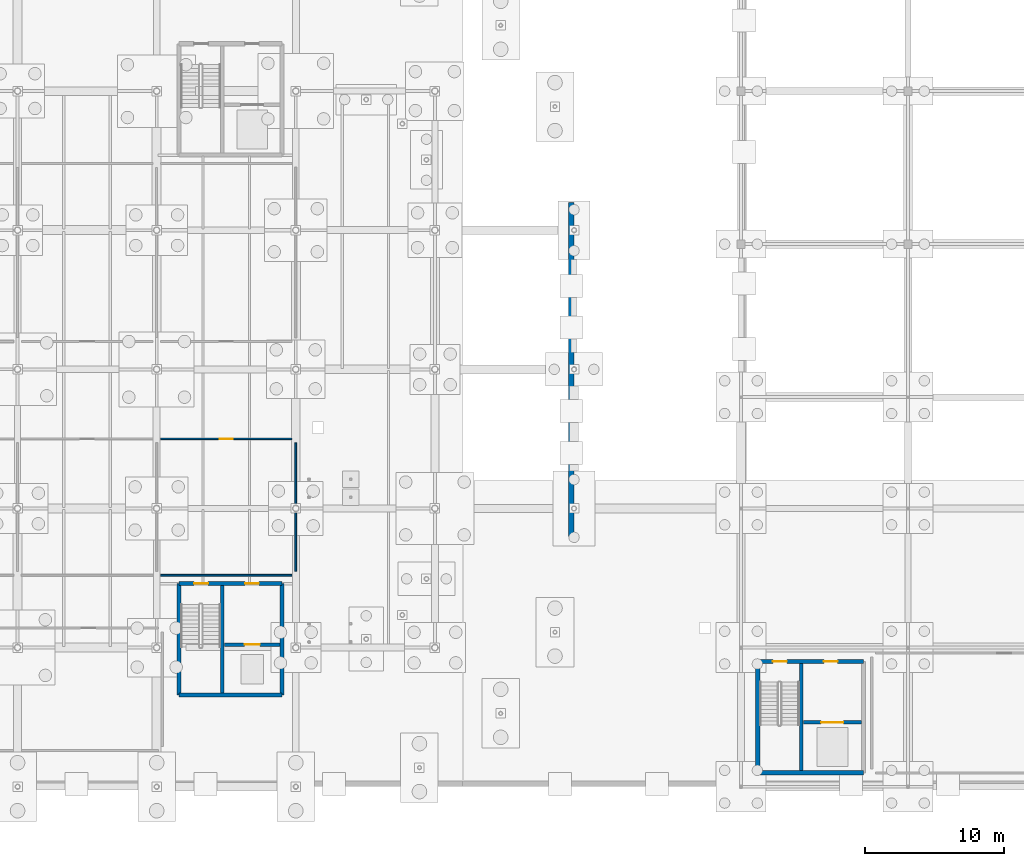
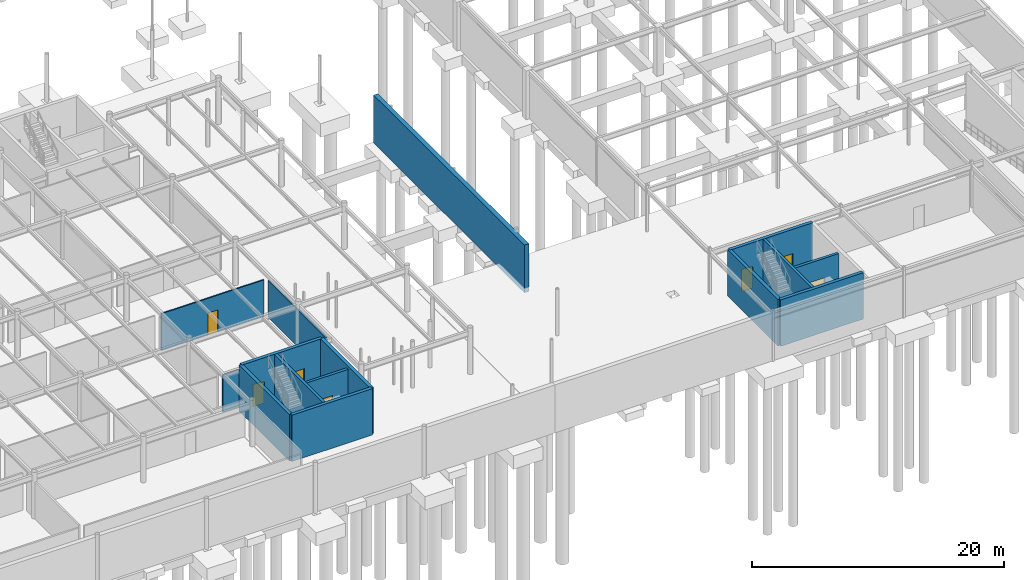
# One storey, part 66 of 75: 15 walls, 7 doors, 7 openings.
"""IFC4 building model written with IfcOpenShell, lengths in metres."""

from ifc_helpers import new_model, si_unit, derived_unit, direction, frame, frame_2d, origin, place, context, subcontext, project, spatial, rectangle, extrude, material, layer, layer_set, type_object, element, fill, save


model = new_model("IFC4")

# Units and contexts
model_context = context("Model", 3, precision=1e-05, world=origin(), true_north=direction((0.0, 1.0)))
body_context = subcontext(model_context, "Body", "Model", "MODEL_VIEW")
ifc_project = project(units=[si_unit("LENGTHUNIT", "METRE"), si_unit("AREAUNIT", "SQUARE_METRE"), si_unit("VOLUMEUNIT", "CUBIC_METRE"), si_unit("PLANEANGLEUNIT", "RADIAN"), si_unit("MASSUNIT", "GRAM", prefix="KILO"), derived_unit("THERMALTRANSMITTANCEUNIT", [(si_unit("POWERUNIT", "WATT"), 1), (si_unit("LENGTHUNIT", "METRE"), -2), (si_unit("THERMODYNAMICTEMPERATUREUNIT", "KELVIN"), -1)])], contexts=[model_context])

# Site, building, storey
site_placement = place(None, origin())
site = spatial("IfcSite", under=ifc_project, at=site_placement, CompositionType="ELEMENT")
building_placement = place(site_placement, origin())
building = spatial("IfcBuilding", under=site, at=building_placement, Name="Cinnabar Yard Market Hall", CompositionType="ELEMENT")
storey_placement = place(building_placement, frame((0.0, 0.0, -4.5)))
storey = spatial("IfcBuildingStorey", under=building, at=storey_placement, Name="B1", CompositionType="ELEMENT", Elevation=-4.5)

# Walls
ifc_material_1 = material(Name="Acoustic steel-stud plasterboard", Category="steel")
ifc_layer_1 = layer(ifc_material_1, 0.1201171875)
ifc_layer_set_1 = layer_set([ifc_layer_1], Name="Acoustic steel-stud plasterboard")
wall_type_1 = type_object("IfcWallType", Name="WL-PT120", PredefinedType="PARTITIONING", material=ifc_layer_set_1)
wall_1_placement = place(storey_placement, frame((136.280029296875, 29.199951171875, 0.0), z_axis=(0.0, 0.0, 1.0), x_axis=(1.0, 0.0, 0.0)))
element("IfcWall", 1, at=wall_1_placement, inside=storey, type_object=wall_type_1, Name="Partition Roastery and Cacao Shop B06 south", PredefinedType="PARTITIONING", context=body_context, shape_type="SweptSolid", body=[
    extrude(rectangle(XDim=9.43994140625, YDim=0.1201171875, at=frame_2d((4.719970703125, 0.0), x_axis=(1.0, 0.0))), origin(), (0.0, 0.0, 1.0), 3.580078125),
])
wall_2_placement = place(storey_placement, frame((146.0, 29.47998046875, 0.0), z_axis=(0.0, 0.0, 1.0), x_axis=(0.0, 1.0, 0.0)))
element("IfcWall", 2, at=wall_2_placement, inside=storey, type_object=wall_type_1, Name="Partition Roastery and Cacao Shop B06 east", PredefinedType="PARTITIONING", context=body_context, shape_type="SweptSolid", body=[
    extrude(rectangle(XDim=9.239990234375, YDim=0.1201171875, at=frame_2d((4.6201171875, 0.0), x_axis=(1.0, 0.0))), origin(), (0.0, 0.0, 1.0), 3.580078125),
])

# Wall, opening, door
wall_3_placement = place(storey_placement, frame((145.719970703125, 39.0, 0.0), z_axis=(0.0, 0.0, 1.0), x_axis=(-1.0, 0.0, 0.0)))
wall_3 = element("IfcWall", 3, at=wall_3_placement, inside=storey, type_object=wall_type_1, Name="Partition Roastery and Cacao Shop B06 north", PredefinedType="PARTITIONING", context=body_context, shape_type="SweptSolid", body=[
    extrude(rectangle(XDim=9.43994140625, YDim=0.1201171875, at=frame_2d((4.719970703125, 0.0), x_axis=(1.0, 0.0))), origin(), (0.0, 0.0, 1.0), 3.580078125),
])
opening_1_placement = place(wall_3_placement, frame((4.260009765625, 0.0, 0.0)))
opening_1 = element("IfcOpeningElement", 4, at=opening_1_placement, cuts=wall_3, Name="Opening ID-095", PredefinedType="OPENING", context=body_context, shape_type="SweptSolid", body=[
    extrude(rectangle(XDim=0.919921875, YDim=2.14990234375, at=frame_2d((0.4599609375, 1.074951171875), x_axis=(1.0, 0.0))), frame((0.0, 0.070068359375, 0.0), z_axis=(0.0, -1.0, 0.0), x_axis=(1.0, 0.0, 0.0)), (0.0, 0.0, 1.0), 0.14013671875),
])
ifc_material_2 = material(Name="Solid-core spotted gum timber", Category="wood")
door_type_1 = type_object("IfcDoorType", Name="DR-D07", OperationType="NOTDEFINED", PredefinedType="DOOR", material=ifc_material_2)
door_1_placement = place(opening_1_placement, origin())
door_1 = element("IfcDoor", 5, at=door_1_placement, inside=storey, type_object=door_type_1, Name="Interior Door ID-095", OperationType="SINGLE_SWING_RIGHT", OverallHeight=2.14990234375, OverallWidth=0.919921875, PredefinedType="DOOR", context=body_context, shape_type="SweptSolid", body=[
    extrude(rectangle(XDim=0.919921875, YDim=2.14990234375, at=frame_2d((0.4599609375, 1.074951171875), x_axis=(1.0, 0.0))), frame((0.0, 0.02490234375, 0.0), z_axis=(0.0, -1.0, 0.0), x_axis=(1.0, 0.0, 0.0)), (0.0, 0.0, 1.0), 0.050048828125),
])
fill(opening_1, door_1)

# Walls
ifc_material_3 = material(Name="Concrete 40 MPa", Category="concrete")
ifc_layer_2 = layer(ifc_material_3, 0.300048828125)
ifc_layer_set_2 = layer_set([ifc_layer_2], Name="Concrete 40 MPa")
wall_type_2 = type_object("IfcWallType", Name="WL-W-CORE", PredefinedType="SHEAR", material=ifc_layer_set_2)
for number, where, z_axis, x_axis, name in (
    (6, (137.60009765625, 28.60009765625, 0.0), (0.0, 0.0, 1.0), (0.0, -1.0, 0.0), "Core C2 West Shear Wall B1"),
    (7, (145.0, 20.60009765625, 0.0), (0.0, 0.0, 1.0), (0.0, 1.0, 0.0), "Core C2 East Shear Wall B1"),
):
    element("IfcWall", number, at=place(storey_placement, frame(where, z_axis=z_axis, x_axis=x_axis)), inside=storey, type_object=wall_type_2, Name=name, PredefinedType="SHEAR", context=body_context, shape_type="SweptSolid", body=[
        extrude(rectangle(XDim=8.0, YDim=0.300048828125, at=frame_2d((4.0, 0.0), x_axis=(1.0, 0.0))), origin(), (0.0, 0.0, 1.0), 4.5),
    ])
wall_4_placement = place(storey_placement, frame((137.60009765625, 20.60009765625, 0.0), z_axis=(0.0, 0.0, 1.0), x_axis=(1.0, 0.0, 0.0)))
element("IfcWall", 8, at=wall_4_placement, inside=storey, type_object=wall_type_2, Name="Core C2 South Shear Wall B1", PredefinedType="SHEAR", context=body_context, shape_type="SweptSolid", body=[
    extrude(rectangle(XDim=7.39990234375, YDim=0.300048828125, at=frame_2d((3.699951171875, 0.0), x_axis=(1.0, 0.0))), origin(), (0.0, 0.0, 1.0), 4.5),
])

# Wall, openings, doors
wall_5_placement = place(storey_placement, frame((145.0, 28.60009765625, 0.0), z_axis=(0.0, 0.0, 1.0), x_axis=(-1.0, 0.0, 0.0)))
wall_5 = element("IfcWall", 9, at=wall_5_placement, inside=storey, type_object=wall_type_2, Name="Core C2 North Shear Wall B1", PredefinedType="SHEAR", context=body_context, shape_type="SweptSolid", body=[
    extrude(rectangle(XDim=7.39990234375, YDim=0.300048828125, at=frame_2d((3.699951171875, 0.0), x_axis=(1.0, 0.0))), origin(), (0.0, 0.0, 1.0), 4.5),
])
opening_2_placement = place(wall_5_placement, frame((1.64990234375, 0.0, 0.0)))
opening_2 = element("IfcOpeningElement", 10, at=opening_2_placement, cuts=wall_5, Name="Opening CD-009", PredefinedType="OPENING", context=body_context, shape_type="SweptSolid", body=[
    extrude(rectangle(XDim=1.0, YDim=2.14990234375, at=frame_2d((0.5, 1.074951171875), x_axis=(1.0, 0.0))), frame((0.0, 0.159912109375, 0.0), z_axis=(0.0, -1.0, 0.0), x_axis=(1.0, 0.0, 0.0)), (0.0, 0.0, 1.0), 0.320068359375),
])
opening_3_placement = place(wall_5_placement, frame((5.300048828125, 0.0, 0.0)))
opening_3 = element("IfcOpeningElement", 11, at=opening_3_placement, cuts=wall_5, Name="Opening CD-010", PredefinedType="OPENING", context=body_context, shape_type="SweptSolid", body=[
    extrude(rectangle(XDim=1.0, YDim=2.14990234375, at=frame_2d((0.5, 1.074951171875), x_axis=(1.0, 0.0))), frame((0.0, 0.159912109375, 0.0), z_axis=(0.0, -1.0, 0.0), x_axis=(1.0, 0.0, 0.0)), (0.0, 0.0, 1.0), 0.320068359375),
])
door_type_2 = type_object("IfcDoorType", Name="DR-D05", OperationType="NOTDEFINED", PredefinedType="DOOR", material=ifc_material_2)
door_2_placement = place(opening_2_placement, origin())
door_2 = element("IfcDoor", 12, at=door_2_placement, inside=storey, type_object=door_type_2, Name="Core Door CD-009", OperationType="SINGLE_SWING_RIGHT", OverallHeight=2.14990234375, OverallWidth=1.0, PredefinedType="DOOR", context=body_context, shape_type="SweptSolid", body=[
    extrude(rectangle(XDim=1.0, YDim=2.14990234375, at=frame_2d((0.5, 1.074951171875), x_axis=(1.0, 0.0))), frame((0.0, 0.02490234375, 0.0), z_axis=(0.0, -1.0, 0.0), x_axis=(1.0, 0.0, 0.0)), (0.0, 0.0, 1.0), 0.050048828125),
])
fill(opening_2, door_2)
door_3_placement = place(opening_3_placement, origin())
door_3 = element("IfcDoor", 13, at=door_3_placement, inside=storey, type_object=door_type_2, Name="Core Door CD-010", OperationType="SINGLE_SWING_LEFT", OverallHeight=2.14990234375, OverallWidth=1.0, PredefinedType="DOOR", context=body_context, shape_type="SweptSolid", body=[
    extrude(rectangle(XDim=1.0, YDim=2.14990234375, at=frame_2d((0.5, 1.074951171875), x_axis=(1.0, 0.0))), frame((0.0, 0.02490234375, 0.0), z_axis=(0.0, -1.0, 0.0), x_axis=(1.0, 0.0, 0.0)), (0.0, 0.0, 1.0), 0.050048828125),
])
fill(opening_3, door_3)

# Walls
wall_6_placement = place(storey_placement, frame((179.199951171875, 23.0, 0.0), z_axis=(0.0, 0.0, 1.0), x_axis=(0.0, -1.0, 0.0)))
element("IfcWall", 14, at=wall_6_placement, inside=storey, type_object=wall_type_2, Name="Core C8 West Shear Wall B1", PredefinedType="SHEAR", context=body_context, shape_type="SweptSolid", body=[
    extrude(rectangle(XDim=8.0, YDim=0.300048828125, at=frame_2d((4.0, 0.0), x_axis=(1.0, 0.0))), origin(), (0.0, 0.0, 1.0), 4.5),
])
wall_7_placement = place(storey_placement, frame((179.199951171875, 15.0, 0.0), z_axis=(0.0, 0.0, 1.0), x_axis=(1.0, 0.0, 0.0)))
element("IfcWall", 15, at=wall_7_placement, inside=storey, type_object=wall_type_2, Name="Core C8 South Shear Wall B1", PredefinedType="SHEAR", context=body_context, shape_type="SweptSolid", body=[
    extrude(rectangle(XDim=7.60009765625, YDim=0.300048828125, at=frame_2d((3.800048828125, 0.0), x_axis=(1.0, 0.0))), origin(), (0.0, 0.0, 1.0), 4.5),
])

# Wall, openings, doors
wall_8_placement = place(storey_placement, frame((186.800048828125, 23.0, 0.0), z_axis=(0.0, 0.0, 1.0), x_axis=(-1.0, 0.0, 0.0)))
wall_8 = element("IfcWall", 16, at=wall_8_placement, inside=storey, type_object=wall_type_2, Name="Core C8 North Shear Wall B1", PredefinedType="SHEAR", context=body_context, shape_type="SweptSolid", body=[
    extrude(rectangle(XDim=7.60009765625, YDim=0.300048828125, at=frame_2d((3.800048828125, 0.0), x_axis=(1.0, 0.0))), origin(), (0.0, 0.0, 1.0), 4.5),
])
opening_4_placement = place(wall_8_placement, frame((1.85009765625, 0.0, 0.0)))
opening_4 = element("IfcOpeningElement", 17, at=opening_4_placement, cuts=wall_8, Name="Opening CD-061", PredefinedType="OPENING", context=body_context, shape_type="SweptSolid", body=[
    extrude(rectangle(XDim=1.0, YDim=2.14990234375, at=frame_2d((0.5, 1.074951171875), x_axis=(1.0, 0.0))), frame((0.0, 0.159912109375, 0.0), z_axis=(0.0, -1.0, 0.0), x_axis=(1.0, 0.0, 0.0)), (0.0, 0.0, 1.0), 0.320068359375),
])
opening_5_placement = place(wall_8_placement, frame((5.5, 0.0, 0.0)))
opening_5 = element("IfcOpeningElement", 18, at=opening_5_placement, cuts=wall_8, Name="Opening CD-062", PredefinedType="OPENING", context=body_context, shape_type="SweptSolid", body=[
    extrude(rectangle(XDim=1.0, YDim=2.14990234375, at=frame_2d((0.5, 1.074951171875), x_axis=(1.0, 0.0))), frame((0.0, 0.159912109375, 0.0), z_axis=(0.0, -1.0, 0.0), x_axis=(1.0, 0.0, 0.0)), (0.0, 0.0, 1.0), 0.320068359375),
])
door_4_placement = place(opening_4_placement, origin())
door_4 = element("IfcDoor", 19, at=door_4_placement, inside=storey, type_object=door_type_2, Name="Core Door CD-061", OperationType="SINGLE_SWING_RIGHT", OverallHeight=2.14990234375, OverallWidth=1.0, PredefinedType="DOOR", context=body_context, shape_type="SweptSolid", body=[
    extrude(rectangle(XDim=1.0, YDim=2.14990234375, at=frame_2d((0.5, 1.074951171875), x_axis=(1.0, 0.0))), frame((0.0, 0.02490234375, 0.0), z_axis=(0.0, -1.0, 0.0), x_axis=(1.0, 0.0, 0.0)), (0.0, 0.0, 1.0), 0.050048828125),
])
fill(opening_4, door_4)
door_5_placement = place(opening_5_placement, origin())
door_5 = element("IfcDoor", 20, at=door_5_placement, inside=storey, type_object=door_type_2, Name="Core Door CD-062", OperationType="SINGLE_SWING_LEFT", OverallHeight=2.14990234375, OverallWidth=1.0, PredefinedType="DOOR", context=body_context, shape_type="SweptSolid", body=[
    extrude(rectangle(XDim=1.0, YDim=2.14990234375, at=frame_2d((0.5, 1.074951171875), x_axis=(1.0, 0.0))), frame((0.0, 0.02490234375, 0.0), z_axis=(0.0, -1.0, 0.0), x_axis=(1.0, 0.0, 0.0)), (0.0, 0.0, 1.0), 0.050048828125),
])
fill(opening_5, door_5)

# Walls
ifc_layer_3 = layer(ifc_material_3, 0.39990234375)
ifc_layer_set_3 = layer_set([ifc_layer_3], Name="Concrete 40 MPa")
wall_type_3 = type_object("IfcWallType", Name="WL-W-RET1E", PredefinedType="USERDEFINED", material=ifc_layer_set_3)
wall_9_placement = place(storey_placement, frame((165.800048828125, 32.0, -0.449951171875), z_axis=(0.0, 0.0, 1.0), x_axis=(0.0, 1.0, 0.0)))
element("IfcWall", 21, at=wall_9_placement, inside=storey, type_object=wall_type_3, Name="Retaining Plinth Wall B1-RET-V1E", ObjectType="RETAINING WALL", PredefinedType="USERDEFINED", context=body_context, shape_type="SweptSolid", body=[
    extrude(rectangle(XDim=24.0, YDim=0.39990234375, at=frame_2d((12.0, 0.0), x_axis=(1.0, 0.0))), origin(), (0.0, 0.0, 1.0), 4.64990234375),
])
ifc_layer_4 = layer(ifc_material_3, 0.25)
ifc_layer_set_4 = layer_set([ifc_layer_4], Name="Concrete 40 MPa")
wall_type_4 = type_object("IfcWallType", Name="WL-W-SHAFT", PredefinedType="SHEAR", material=ifc_layer_set_4)
wall_10_placement = place(storey_placement, frame((140.715087890625, 20.75, 0.0), z_axis=(0.0, 0.0, 1.0), x_axis=(0.0, 1.0, 0.0)))
element("IfcWall", 22, at=wall_10_placement, inside=storey, type_object=wall_type_4, Name="Core C2 Shaft Divider B1", PredefinedType="SHEAR", context=body_context, shape_type="SweptSolid", body=[
    extrude(rectangle(XDim=7.699951171875, YDim=0.25, at=frame_2d((3.85009765625, 0.0), x_axis=(1.0, 0.0))), origin(), (0.0, 0.0, 1.0), 4.5),
])

# Wall, opening, door
wall_11_placement = place(storey_placement, frame((140.8798828125, 24.219970703125, 0.0), z_axis=(0.0, 0.0, 1.0), x_axis=(1.0, 0.0, 0.0)))
wall_11 = element("IfcWall", 23, at=wall_11_placement, inside=storey, type_object=wall_type_4, Name="Core C2 Lift Front Wall B1", PredefinedType="SHEAR", context=body_context, shape_type="SweptSolid", body=[
    extrude(rectangle(XDim=3.97021484375, YDim=0.25, at=frame_2d((1.985107421875, 0.0), x_axis=(1.0, 0.0))), origin(), (0.0, 0.0, 1.0), 4.199951171875),
])
opening_6_placement = place(wall_11_placement, frame((1.43505859375, 0.0, 0.0)))
opening_6 = element("IfcOpeningElement", 24, at=opening_6_placement, cuts=wall_11, Name="Opening LD-LP-01-B1", PredefinedType="OPENING", context=body_context, shape_type="SweptSolid", body=[
    extrude(rectangle(XDim=1.10009765625, YDim=2.14990234375, at=frame_2d((0.550048828125, 1.074951171875), x_axis=(1.0, 0.0))), frame((0.0, 0.135009765625, 0.0), z_axis=(0.0, -1.0, 0.0), x_axis=(1.0, 0.0, 0.0)), (0.0, 0.0, 1.0), 0.27001953125),
])
ifc_material_4 = material(Name="Brushed stainless steel landing door", Category="steel")
door_type_3 = type_object("IfcDoorType", Name="DR-LD01", OperationType="NOTDEFINED", PredefinedType="DOOR", material=ifc_material_4)
door_6_placement = place(opening_6_placement, origin())
door_6 = element("IfcDoor", 25, at=door_6_placement, inside=storey, type_object=door_type_3, Name="Lift Landing Door LD-LP-01-B1", OperationType="SLIDING_TO_LEFT", OverallHeight=2.14990234375, OverallWidth=1.10009765625, PredefinedType="DOOR", context=body_context, shape_type="SweptSolid", body=[
    extrude(rectangle(XDim=1.10009765625, YDim=2.14990234375, at=frame_2d((0.550048828125, 1.074951171875), x_axis=(1.0, 0.0))), frame((0.0, 0.02490234375, 0.0), z_axis=(0.0, -1.0, 0.0), x_axis=(1.0, 0.0, 0.0)), (0.0, 0.0, 1.0), 0.050048828125),
])
fill(opening_6, door_6)

# Wall
wall_12_placement = place(storey_placement, frame((182.31494140625, 15.14990234375, 0.0), z_axis=(0.0, 0.0, 1.0), x_axis=(0.0, 1.0, 0.0)))
element("IfcWall", 26, at=wall_12_placement, inside=storey, type_object=wall_type_4, Name="Core C8 Shaft Divider B1", PredefinedType="SHEAR", context=body_context, shape_type="SweptSolid", body=[
    extrude(rectangle(XDim=7.7001953125, YDim=0.25, at=frame_2d((3.85009765625, 0.0), x_axis=(1.0, 0.0))), origin(), (0.0, 0.0, 1.0), 4.5),
])

# Wall, opening, door
wall_13_placement = place(storey_placement, frame((182.47998046875, 18.6201171875, 0.0), z_axis=(0.0, 0.0, 1.0), x_axis=(1.0, 0.0, 0.0)))
wall_13 = element("IfcWall", 27, at=wall_13_placement, inside=storey, type_object=wall_type_4, Name="Core C8 Lift Front Wall B1", PredefinedType="SHEAR", context=body_context, shape_type="SweptSolid", body=[
    extrude(rectangle(XDim=4.169921875, YDim=0.25, at=frame_2d((2.0849609375, 0.0), x_axis=(1.0, 0.0))), origin(), (0.0, 0.0, 1.0), 4.199951171875),
])
opening_7_placement = place(wall_13_placement, frame((1.284912109375, 0.0, 0.0)))
opening_7 = element("IfcOpeningElement", 28, at=opening_7_placement, cuts=wall_13, Name="Opening LD-LG-02-B1", PredefinedType="OPENING", context=body_context, shape_type="SweptSolid", body=[
    extrude(rectangle(XDim=1.60009765625, YDim=2.300048828125, at=frame_2d((0.800048828125, 1.14990234375), x_axis=(1.0, 0.0))), frame((0.0, 0.135009765625, 0.0), z_axis=(0.0, -1.0, 0.0), x_axis=(1.0, 0.0, 0.0)), (0.0, 0.0, 1.0), 0.27001953125),
])
ifc_material_5 = material(Name="Heavy-duty stainless steel goods landing door", Category="steel")
door_type_4 = type_object("IfcDoorType", Name="DR-LD02", OperationType="NOTDEFINED", PredefinedType="DOOR", material=ifc_material_5)
door_7_placement = place(opening_7_placement, origin())
door_7 = element("IfcDoor", 29, at=door_7_placement, inside=storey, type_object=door_type_4, Name="Lift Landing Door LD-LG-02-B1", OperationType="SLIDING_TO_RIGHT", OverallHeight=2.300048828125, OverallWidth=1.60009765625, PredefinedType="DOOR", context=body_context, shape_type="SweptSolid", body=[
    extrude(rectangle(XDim=1.60009765625, YDim=2.300048828125, at=frame_2d((0.800048828125, 1.14990234375), x_axis=(1.0, 0.0))), frame((0.0, 0.02490234375, 0.0), z_axis=(0.0, -1.0, 0.0), x_axis=(1.0, 0.0, 0.0)), (0.0, 0.0, 1.0), 0.050048828125),
])
fill(opening_7, door_7)

save(model, "model.ifc")
